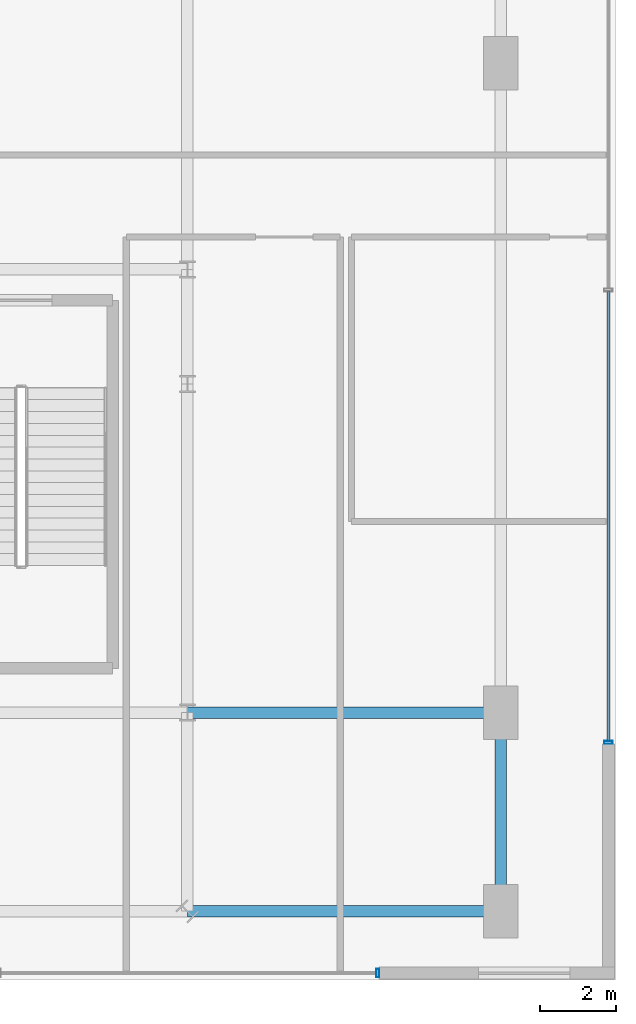
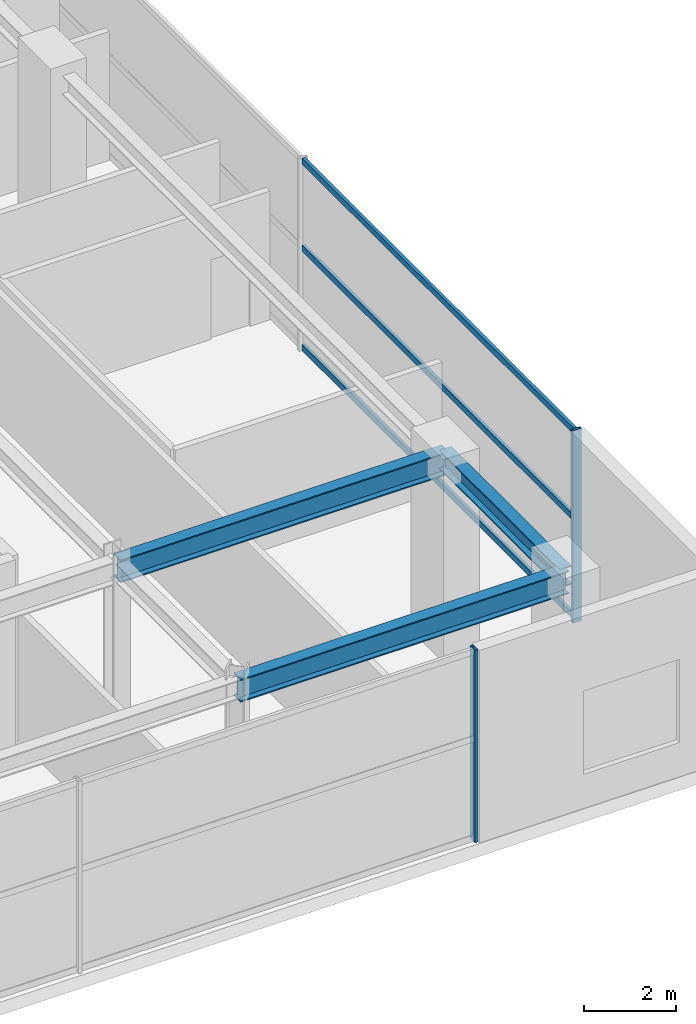
# One storey, part 21 of 34: 5 members, 3 beams, 2 elements without a shape of their own.
"""IFC4 building model written with IfcOpenShell, lengths in metres."""

from ifc_helpers import new_model, si_unit, direction, frame, origin, origin_2d, place, context, subcontext, project, spatial, hollow_rectangle, i_section, extrude, source, transform, mapped, material, material_profile, profile_set, type_object, element, aggregate, save


model = new_model("IFC4")

# Units and contexts
model_context = context("Model", 3, precision=1e-05, world=origin(), true_north=direction((0.0, 1.0)))
body_context = subcontext(model_context, "Body", "Model", "MODEL_VIEW")
ifc_project = project(units=[si_unit("LENGTHUNIT", "METRE"), si_unit("AREAUNIT", "SQUARE_METRE"), si_unit("VOLUMEUNIT", "CUBIC_METRE"), si_unit("PLANEANGLEUNIT", "RADIAN"), si_unit("MASSUNIT", "GRAM", prefix="KILO")], contexts=[model_context])

# Site, building, storey
site_placement = place(None, origin())
site = spatial("IfcSite", under=ifc_project, at=site_placement, CompositionType="ELEMENT")
building_placement = place(site_placement, origin())
building = spatial("IfcBuilding", under=site, at=building_placement, Name="Nahalor Promenade Grand Hotel", CompositionType="ELEMENT")
storey_placement = place(building_placement, frame((0.0, 0.0, 16.199951171875)))
storey = spatial("IfcBuildingStorey", under=building, at=storey_placement, Name="L03", CompositionType="ELEMENT", Elevation=16.199951171875)

# Beams
ifc_material_1 = material(Name="Steel S355JR", Category="steel")
ifc_material_profile_1 = material_profile(ifc_material_1, i_section(OverallWidth=0.3, OverallDepth=0.6, WebThickness=0.0155, FlangeThickness=0.03, at=origin_2d()), Name="HEB 600")
ifc_profile_set_1 = profile_set([ifc_material_profile_1], Name="Steel S355JR")
beam_type_1 = type_object("IfcBeamType", Name="Beam-Girder-HEB600", PredefinedType="BEAM", material=ifc_profile_set_1)
shared_shape_1 = source(origin(), body_context, "Body", "SweptSolid", [
    extrude(i_section(OverallWidth=0.3, OverallDepth=0.6, WebThickness=0.0155, FlangeThickness=0.03, at=origin_2d()), origin(), (0.0, 0.0, 1.0), 8.199951171875),
])
for number, where, z_axis, x_axis, name in (
    (1, (24.800048828125, -17.0, 4.780029296875), (1.0, 0.0, 0.0), (0.0, 1.0, 0.0), "BM-L03-GX-0-8"),
    (2, (24.800048828125, -22.199951171875, 4.780029296875), (1.0, 0.0, 0.0), (0.0, 1.0, 0.0), "BM-L03-TIE-PE--22"),
):
    element("IfcBeam", number, at=place(storey_placement, frame(where, z_axis=z_axis, x_axis=x_axis)), inside=storey, type_object=beam_type_1, Name=name, PredefinedType="BEAM", context=body_context, shape_type="MappedRepresentation", body=[
        mapped(shared_shape_1, transform((0.0, 0.0, 0.0), scale=1.0)),
    ])
ifc_material_profile_2 = material_profile(ifc_material_1, i_section(OverallWidth=0.3, OverallDepth=0.5, WebThickness=0.0145, FlangeThickness=0.028, at=origin_2d()), Name="HEB 500")
ifc_profile_set_2 = profile_set([ifc_material_profile_2], Name="Steel S355JR")
beam_type_2 = type_object("IfcBeamType", Name="Beam-Spandrel-HEB500", PredefinedType="SPANDREL", material=ifc_profile_set_2)
shared_shape_2 = source(origin(), body_context, "Body", "SweptSolid", [
    extrude(i_section(OverallWidth=0.3, OverallDepth=0.5, WebThickness=0.0145, FlangeThickness=0.028, at=origin_2d()), origin(), (0.0, 0.0, 1.0), 5.199951171875),
])
beam_placement = place(storey_placement, frame((33.0, -22.199951171875, 4.830078125), z_axis=(0.0, 1.0, 0.0), x_axis=(-1.0, 0.0, 0.0)))
element("IfcBeam", 3, at=beam_placement, inside=storey, type_object=beam_type_2, Name="BM-L03-PE-0", PredefinedType="SPANDREL", context=body_context, shape_type="MappedRepresentation", body=[
    mapped(shared_shape_2, transform((0.0, 0.0, 0.0), scale=1.0)),
])

# Curtain wall, member
ifc_material_2 = material(Name="Anodised Bronze Aluminium EN AW-6063 T6", Category="aluminium")
curtain_wall_type = type_object("IfcCurtainWallType", Name="CW1 Waterfront Podium Bronze Arcade Curtain Wall", PredefinedType="USERDEFINED", material=ifc_material_2)
curtain_wall_1_placement = place(storey_placement, origin())
curtain_wall_1 = element("IfcCurtainWall", 4, at=curtain_wall_1_placement, inside=storey, type_object=curtain_wall_type, Name="L03 Curtain Wall CW-L03-S", ObjectType="UNITISED_CURTAIN_WALL", PredefinedType="USERDEFINED")
ifc_material_profile_3 = material_profile(ifc_material_2, hollow_rectangle(XDim=0.08, YDim=0.22, WallThickness=0.005, at=origin_2d()), Name="CWM 80x220x5")
ifc_profile_set_3 = profile_set([ifc_material_profile_3], Name="Anodised Bronze Aluminium EN AW-6063 T6")
member_type_1 = type_object("IfcMemberType", Name="CWM1 Podium Bronze Mullion 80x220", PredefinedType="MULLION", material=ifc_profile_set_3)
shared_shape_3 = source(origin(), body_context, "Body", "SweptSolid", [
    extrude(hollow_rectangle(XDim=0.08, YDim=0.22, WallThickness=0.005, at=origin_2d()), origin(), (0.0, 0.0, 1.0), 5.080078125),
])
member_1_placement = place(storey_placement, frame((29.780029296875, -23.820068359375, 0.0), z_axis=(0.0, 0.0, 1.0), x_axis=(1.0, 0.0, 0.0)))
member_1 = element("IfcMember", 5, at=member_1_placement, type_object=member_type_1, Name="CW-L03-S Mullion 6", PredefinedType="MULLION", context=body_context, shape_type="MappedRepresentation", body=[
    mapped(shared_shape_3, transform((0.0, 0.0, 0.0), scale=1.0)),
])
aggregate(curtain_wall_1, [member_1])

# Curtain wall, members
curtain_wall_2_placement = place(storey_placement, origin())
curtain_wall_2 = element("IfcCurtainWall", 6, at=curtain_wall_2_placement, inside=storey, type_object=curtain_wall_type, Name="L03 Curtain Wall CW-L03-E", ObjectType="UNITISED_CURTAIN_WALL", PredefinedType="USERDEFINED")
member_2_placement = place(storey_placement, frame((35.820068359375, -17.780029296875, 0.0), z_axis=(0.0, 0.0, 1.0), x_axis=(0.0, 1.0, 0.0)))
member_2 = element("IfcMember", 7, at=member_2_placement, type_object=member_type_1, Name="CW-L03-E Mullion 0", PredefinedType="MULLION", context=body_context, shape_type="MappedRepresentation", body=[
    mapped(shared_shape_3, transform((0.0, 0.0, 0.0), scale=1.0)),
])
ifc_material_profile_4 = material_profile(ifc_material_2, hollow_rectangle(XDim=0.08, YDim=0.16, WallThickness=0.004, at=origin_2d()), Name="CWT 80x160x4")
ifc_profile_set_4 = profile_set([ifc_material_profile_4], Name="Anodised Bronze Aluminium EN AW-6063 T6")
member_type_2 = type_object("IfcMemberType", Name="CWT1 Podium Bronze Transom 80x160", PredefinedType="USERDEFINED", material=ifc_profile_set_4)
shared_shape_4 = source(origin(), body_context, "Body", "SweptSolid", [
    extrude(hollow_rectangle(XDim=0.08, YDim=0.16, WallThickness=0.004, at=origin_2d()), origin(), (0.0, 0.0, 1.0), 11.760009765625),
])
member_3_placement = place(storey_placement, frame((35.820068359375, -17.739990234375, 0.080078125), z_axis=(0.0, 1.0, 0.0), x_axis=(-1.0, 0.0, 0.0)))
member_3 = element("IfcMember", 8, at=member_3_placement, type_object=member_type_2, Name="CW-L03-E Transom 0-0", ObjectType="TRANSOM", PredefinedType="USERDEFINED", context=body_context, shape_type="MappedRepresentation", body=[
    mapped(shared_shape_4, transform((0.0, 0.0, 0.0), scale=1.0)),
])
member_4_placement = place(storey_placement, frame((35.820068359375, -17.739990234375, 2.699951171875), z_axis=(0.0, 1.0, 0.0), x_axis=(-1.0, 0.0, 0.0)))
member_4 = element("IfcMember", 9, at=member_4_placement, type_object=member_type_2, Name="CW-L03-E Transom 0-1", ObjectType="TRANSOM", PredefinedType="USERDEFINED", context=body_context, shape_type="MappedRepresentation", body=[
    mapped(shared_shape_4, transform((0.0, 0.0, 0.0), scale=1.0)),
])
member_5_placement = place(storey_placement, frame((35.820068359375, -17.739990234375, 5.0), z_axis=(0.0, 1.0, 0.0), x_axis=(-1.0, 0.0, 0.0)))
member_5 = element("IfcMember", 10, at=member_5_placement, type_object=member_type_2, Name="CW-L03-E Transom 0-2", ObjectType="TRANSOM", PredefinedType="USERDEFINED", context=body_context, shape_type="MappedRepresentation", body=[
    mapped(shared_shape_4, transform((0.0, 0.0, 0.0), scale=1.0)),
])
aggregate(curtain_wall_2, [member_2, member_3, member_4, member_5])

save(model, "model.ifc")
